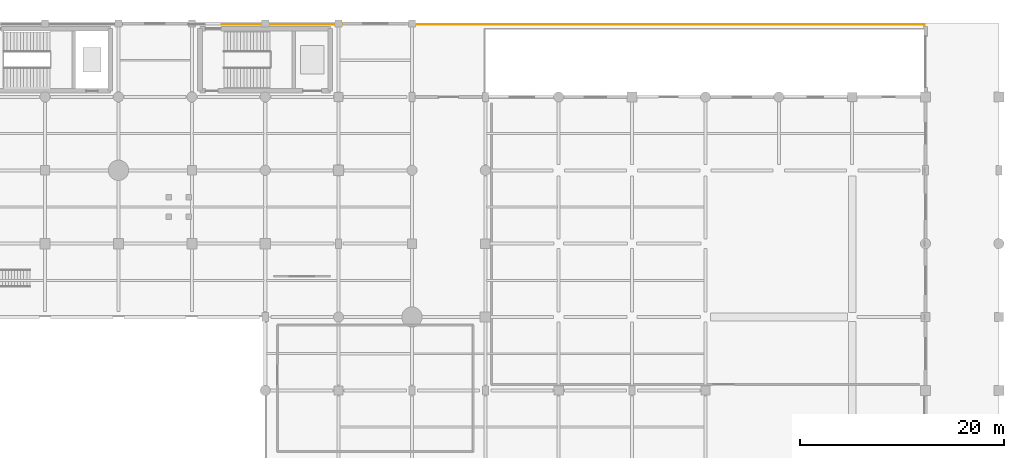
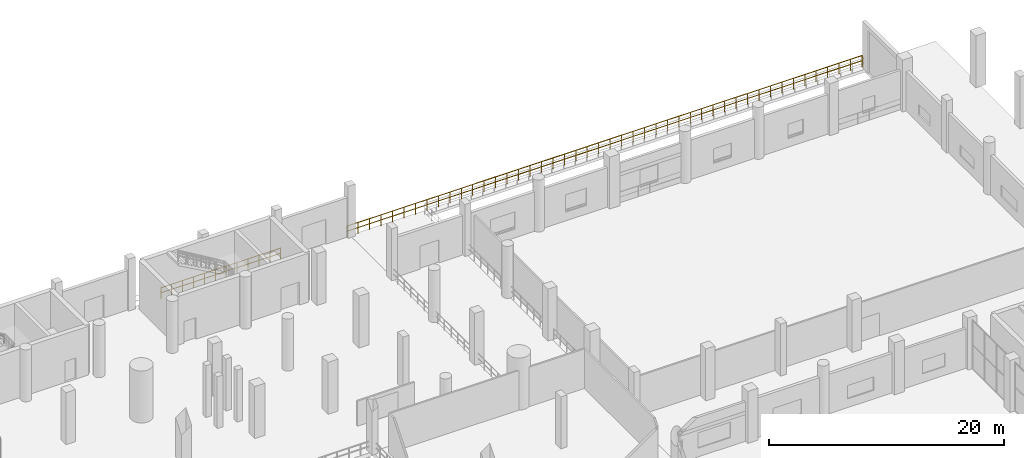
# One storey, part 57 of 58: 2 railings.
"""IFC4 building model written with IfcOpenShell, lengths in metres."""

import ifcopenshell
import ifcopenshell.guid

model = None  # the IFC model being written
_history = None  # IfcOwnerHistory: only IFC2X3 demands one
_inside = {}  # id of a spatial element -> (the spatial element, [elements in it])
_under = {}  # id of a project, library or spatial element -> (it, [spatial elements below it])
_declared = {}  # id of a project -> (the project, [libraries it declares])
_typed = {}  # id of a type object -> (the type object, [elements of that type])
_made_of = {}  # id of a material, layer set ... -> (it, [elements and type objects made of it])


def new_model(schema):
    """Start an empty IFC model of exactly this schema.

    Asked for "IFC4X3", IfcOpenShell would pick the latest addendum, in which some entities
    have other attributes; the version numbers below select the first issue.
    IFC2X3 requires an IfcOwnerHistory on every rooted entity: one is made here for all.
    """
    global model, _history
    if schema == "IFC4X3":
        model = ifcopenshell.file(schema_version=(4, 3, 0, 0))
    else:
        model = ifcopenshell.file(schema=schema)
    _inside.clear()
    _under.clear()
    _declared.clear()
    _typed.clear()
    _made_of.clear()
    _history = None
    if model.schema == "IFC2X3":
        org = make("IfcOrganization", Name="unknown")
        user = make(
            "IfcPersonAndOrganization",
            ThePerson=make("IfcPerson", FamilyName="unknown"),
            TheOrganization=org,
        )
        app = make(
            "IfcApplication",
            ApplicationDeveloper=org,
            Version="unknown",
            ApplicationFullName="unknown",
            ApplicationIdentifier="unknown",
        )
        _history = make(
            "IfcOwnerHistory",
            OwningUser=user,
            OwningApplication=app,
            ChangeAction="ADDED",
            CreationDate=0,
        )
    return model


def make(cls, **values):
    """One entity of the class cls with the attributes given. An attribute that is None is left unset."""
    return model.create_entity(
        cls, **{name: value for name, value in values.items() if value is not None}
    )


def rooted(cls, **values):
    """An entity with a GlobalId (a new one), such as an element, a storey or a relation."""
    return make(cls, GlobalId=ifcopenshell.guid.new(), OwnerHistory=_history, **values)


def si_unit(unit_type, name, prefix=None):
    """IfcSIUnit, for example si_unit("LENGTHUNIT", "METRE", prefix="MILLI")."""
    return make("IfcSIUnit", UnitType=unit_type, Prefix=prefix, Name=name)


def assignment(units):
    """IfcUnitAssignment: the units of a project."""
    return None if units is None else make("IfcUnitAssignment", Units=units)


def point(xyz):
    """IfcCartesianPoint."""
    return None if xyz is None else make("IfcCartesianPoint", Coordinates=xyz)


def direction(xyz):
    """IfcDirection."""
    return None if xyz is None else make("IfcDirection", DirectionRatios=xyz)


def frame(location, z_axis=None, x_axis=None):
    """IfcAxis2Placement3D, a coordinate frame: its origin and axes. An axis left out is left unset."""
    return make(
        "IfcAxis2Placement3D",
        Location=point(location),
        Axis=direction(z_axis),
        RefDirection=direction(x_axis),
    )


def frame_2d(location, x_axis=None):
    """IfcAxis2Placement2D, a coordinate frame in the plane: its origin and x axis."""
    return make(
        "IfcAxis2Placement2D", Location=point(location), RefDirection=direction(x_axis)
    )


def origin():
    """The frame at (0, 0, 0) with its axes left unset."""
    return frame((0.0, 0.0, 0.0))


def origin_2d():
    """The frame at (0, 0) in the plane with its x axis left unset."""
    return frame_2d((0.0, 0.0))


def place(relative_to, where):
    """IfcLocalPlacement: puts the frame where relative to a parent placement (None: the world)."""
    return make(
        "IfcLocalPlacement", PlacementRelTo=relative_to, RelativePlacement=where
    )


def context(
    kind, dimensions, precision=None, world=None, true_north=None, identifier=None
):
    """IfcGeometricRepresentationContext, for example the 3D "Model" context."""
    return make(
        "IfcGeometricRepresentationContext",
        ContextIdentifier=identifier,
        ContextType=kind,
        CoordinateSpaceDimension=dimensions,
        Precision=precision,
        WorldCoordinateSystem=world,
        TrueNorth=true_north,
    )


def subcontext(parent, identifier, kind, view, scale=None):
    """IfcGeometricRepresentationSubContext, for example "Body" below "Model"."""
    return make(
        "IfcGeometricRepresentationSubContext",
        ContextIdentifier=identifier,
        ContextType=kind,
        ParentContext=parent,
        TargetScale=scale,
        TargetView=view,
    )


def project(units=None, contexts=None):
    """IfcProject with its units and contexts."""
    return rooted(
        "IfcProject",
        Name="project",
        RepresentationContexts=contexts,
        UnitsInContext=assignment(units),
    )


def spatial(cls, under=None, at=None, **own):
    """A site, building, storey or space (cls), placed at a placement, below another one or the project."""
    s = rooted(cls, ObjectPlacement=at, **own)
    if under is not None:
        _under.setdefault(under.id(), (under, []))[1].append(s)
    return s


def profile(cls, at=None, kind="AREA", **sizes):
    """A parametric profile (cls). Its sizes go by their IFC names, for example OverallWidth=200.0."""
    return make(cls, ProfileType=kind, Position=at, **sizes)


def circle(**sizes):
    """IfcCircleProfileDef."""
    return profile("IfcCircleProfileDef", **sizes)


def extrude(swept, where, along, depth):
    """IfcExtrudedAreaSolid: the profile swept, set in the frame where, extruded along a direction by depth."""
    return make(
        "IfcExtrudedAreaSolid",
        SweptArea=swept,
        Position=where,
        ExtrudedDirection=direction(along),
        Depth=depth,
    )


def shape(context_of_items, identifier, shape_type, items):
    """IfcShapeRepresentation: the items that make up one representation, for example the "Body"."""
    return make(
        "IfcShapeRepresentation",
        ContextOfItems=context_of_items,
        RepresentationIdentifier=identifier,
        RepresentationType=shape_type,
        Items=items,
    )


def material(Name=None, Category=None):
    """IfcMaterial."""
    return make("IfcMaterial", Name=Name, Category=Category)


def made_of(thing, what):
    """Note that an element or type object is made of a material, layer set ...; save() writes the relation."""
    if what is not None:
        _made_of.setdefault(what.id(), (what, []))[1].append(thing)
    return thing


def type_object(cls, material=None, **own):
    """A type object (cls), such as IfcWallType, which elements share."""
    return made_of(rooted(cls, **own), material)


def element(
    cls,
    number,
    at=None,
    inside=None,
    cuts=None,
    type_object=None,
    material=None,
    context=None,
    identifier="Body",
    shape_type=None,
    held_by="IfcProductDefinitionShape",
    body=None,
    shapes=None,
    **own,
):
    """One element of the class cls, such as IfcWall. Its Tag is "e" and its number.

    at: its placement. inside: the storey or other place that contains it. cuts: it is an
    opening in that element (IfcRelVoidsElement). A single representation is given by context,
    identifier, shape_type and body (its items); several are given by shapes. held_by: the class
    of the entity that holds the representations. save() writes the other relations.
    """
    e = rooted(cls, Tag="e%d" % number, ObjectPlacement=at, **own)
    if body is not None:
        shapes = [shape(context, identifier, shape_type, body)]
    if shapes is not None:
        e.Representation = make(held_by, Representations=shapes)
    if inside is not None:
        _inside.setdefault(inside.id(), (inside, []))[1].append(e)
    if cuts is not None:
        rooted(
            "IfcRelVoidsElement", RelatingBuildingElement=cuts, RelatedOpeningElement=e
        )
    if type_object is not None:
        _typed.setdefault(type_object.id(), (type_object, []))[1].append(e)
    return made_of(e, material)


def aggregate(whole, parts):
    """IfcRelAggregates: a whole, such as a stair, and the parts it consists of."""
    return rooted("IfcRelAggregates", RelatingObject=whole, RelatedObjects=parts)


def save(model, path):
    """Write the relations noted so far, then the file.

    IfcRelAggregates (storeys below a building ...), IfcRelContainedInSpatialStructure (elements
    in a storey), IfcRelDefinesByType, IfcRelAssociatesMaterial and IfcRelDeclares: one each for
    every whole, place, type object, material and project.
    """
    for whole, parts in _under.values():
        aggregate(whole, parts)
    for where, things in _inside.values():
        rooted(
            "IfcRelContainedInSpatialStructure",
            RelatedElements=things,
            RelatingStructure=where,
        )
    for kind, things in _typed.values():
        rooted("IfcRelDefinesByType", RelatedObjects=things, RelatingType=kind)
    for what, things in _made_of.values():
        rooted("IfcRelAssociatesMaterial", RelatedObjects=things, RelatingMaterial=what)
    for by, libraries in _declared.values():
        rooted("IfcRelDeclares", RelatingContext=by, RelatedDefinitions=libraries)
    model.write(path)


model = new_model("IFC4")

# Units and contexts
model_context = context("Model", 3, precision=1e-05, world=origin(), true_north=direction((0.0, 1.0)))
body_context = subcontext(model_context, "Body", "Model", "MODEL_VIEW")
ifc_project = project(units=[si_unit("LENGTHUNIT", "METRE"), si_unit("AREAUNIT", "SQUARE_METRE"), si_unit("VOLUMEUNIT", "CUBIC_METRE"), si_unit("PLANEANGLEUNIT", "RADIAN"), si_unit("MASSUNIT", "GRAM", prefix="KILO")], contexts=[model_context])

# Site, building, storey
site_placement = place(None, origin())
site = spatial("IfcSite", under=ifc_project, at=site_placement, CompositionType="ELEMENT")
building_placement = place(site_placement, origin())
building = spatial("IfcBuilding", under=site, at=building_placement, Name="Qandorah Velis Arena", CompositionType="ELEMENT")
storey_placement = place(building_placement, origin())
storey = spatial("IfcBuildingStorey", under=building, at=storey_placement, Name="L00", CompositionType="ELEMENT", Elevation=0.0)

# Railings
ifc_material = material(Name="Stainless steel 316", Category="steel")
railing_type = type_object("IfcRailingType", Name="ARC-RL-GRD1150", PredefinedType="GUARDRAIL", material=ifc_material)
railing_1_placement = place(storey_placement, frame((96.570068359375, 129.5, 0.0)))
element("IfcRailing", 1, at=railing_1_placement, inside=storey, type_object=railing_type, Name="Slab edge safety guardrail L00-048", PredefinedType="GUARDRAIL", context=body_context, shape_type="SweptSolid", body=[
    extrude(circle(Radius=0.02392578125, at=origin_2d()), frame((0.0, 0.0, 1.1259765625), z_axis=(1.0, 0.0, 0.0), x_axis=(0.0, 1.0, 0.0)), (0.0, 0.0, 1.0), 11.780029296875),
    extrude(circle(Radius=0.02392578125, at=origin_2d()), frame((0.0, 0.0, 0.597900390625), z_axis=(1.0, 0.0, 0.0), x_axis=(0.0, 1.0, 0.0)), (0.0, 0.0, 1.0), 11.780029296875),
    extrude(circle(Radius=0.02099609375, at=origin_2d()), origin(), (0.0, 0.0, 1.0), 1.101806640625),
    extrude(circle(Radius=0.02099609375, at=origin_2d()), frame((1.07080078125, 0.0, 0.0)), (0.0, 0.0, 1.0), 1.101806640625),
    extrude(circle(Radius=0.02099609375, at=origin_2d()), frame((2.141845703125, 0.0, 0.0)), (0.0, 0.0, 1.0), 1.101806640625),
    extrude(circle(Radius=0.02099609375, at=origin_2d()), frame((3.212646484375, 0.0, 0.0)), (0.0, 0.0, 1.0), 1.101806640625),
    extrude(circle(Radius=0.02099609375, at=origin_2d()), frame((4.28369140625, 0.0, 0.0)), (0.0, 0.0, 1.0), 1.101806640625),
    extrude(circle(Radius=0.02099609375, at=origin_2d()), frame((5.3544921875, 0.0, 0.0)), (0.0, 0.0, 1.0), 1.101806640625),
    extrude(circle(Radius=0.02099609375, at=origin_2d()), frame((6.425537109375, 0.0, 0.0)), (0.0, 0.0, 1.0), 1.101806640625),
    extrude(circle(Radius=0.02099609375, at=origin_2d()), frame((7.496337890625, 0.0, 0.0)), (0.0, 0.0, 1.0), 1.101806640625),
    extrude(circle(Radius=0.02099609375, at=origin_2d()), frame((8.5673828125, 0.0, 0.0)), (0.0, 0.0, 1.0), 1.101806640625),
    extrude(circle(Radius=0.02099609375, at=origin_2d()), frame((9.63818359375, 0.0, 0.0)), (0.0, 0.0, 1.0), 1.101806640625),
    extrude(circle(Radius=0.02099609375, at=origin_2d()), frame((10.709228515625, 0.0, 0.0)), (0.0, 0.0, 1.0), 1.101806640625),
    extrude(circle(Radius=0.02099609375, at=origin_2d()), frame((11.780029296875, 0.0, 0.0)), (0.0, 0.0, 1.0), 1.101806640625),
])
railing_2_placement = place(storey_placement, frame((114.85009765625, 129.5, 0.0)))
element("IfcRailing", 2, at=railing_2_placement, inside=storey, type_object=railing_type, Name="Slab edge safety guardrail L00-049", PredefinedType="GUARDRAIL", context=body_context, shape_type="SweptSolid", body=[
    extrude(circle(Radius=0.02392578125, at=origin_2d()), frame((0.0, 0.0, 1.1259765625), z_axis=(1.0, 0.0, 0.0), x_axis=(0.0, 1.0, 0.0)), (0.0, 0.0, 1.0), 50.64990234375),
    extrude(circle(Radius=0.02392578125, at=origin_2d()), frame((0.0, 0.0, 0.597900390625), z_axis=(1.0, 0.0, 0.0), x_axis=(0.0, 1.0, 0.0)), (0.0, 0.0, 1.0), 50.64990234375),
    extrude(circle(Radius=0.02392578125, at=origin_2d()), frame((50.64990234375, 0.0, 1.1259765625), z_axis=(0.0, -1.0, 0.0), x_axis=(1.0, 0.0, 0.0)), (0.0, 0.0, 1.0), 0.199951171875),
    extrude(circle(Radius=0.02392578125, at=origin_2d()), frame((50.64990234375, 0.0, 0.597900390625), z_axis=(0.0, -1.0, 0.0), x_axis=(1.0, 0.0, 0.0)), (0.0, 0.0, 1.0), 0.199951171875),
    extrude(circle(Radius=0.02099609375, at=origin_2d()), origin(), (0.0, 0.0, 1.0), 1.101806640625),
    extrude(circle(Radius=0.02099609375, at=origin_2d()), frame((1.12548828125, 0.0, 0.0)), (0.0, 0.0, 1.0), 1.101806640625),
    extrude(circle(Radius=0.02099609375, at=origin_2d()), frame((2.251220703125, 0.0, 0.0)), (0.0, 0.0, 1.0), 1.101806640625),
    extrude(circle(Radius=0.02099609375, at=origin_2d()), frame((3.376708984375, 0.0, 0.0)), (0.0, 0.0, 1.0), 1.101806640625),
    extrude(circle(Radius=0.02099609375, at=origin_2d()), frame((4.502197265625, 0.0, 0.0)), (0.0, 0.0, 1.0), 1.101806640625),
    extrude(circle(Radius=0.02099609375, at=origin_2d()), frame((5.627685546875, 0.0, 0.0)), (0.0, 0.0, 1.0), 1.101806640625),
    extrude(circle(Radius=0.02099609375, at=origin_2d()), frame((6.75341796875, 0.0, 0.0)), (0.0, 0.0, 1.0), 1.101806640625),
    extrude(circle(Radius=0.02099609375, at=origin_2d()), frame((7.87890625, 0.0, 0.0)), (0.0, 0.0, 1.0), 1.101806640625),
    extrude(circle(Radius=0.02099609375, at=origin_2d()), frame((9.00439453125, 0.0, 0.0)), (0.0, 0.0, 1.0), 1.101806640625),
    extrude(circle(Radius=0.02099609375, at=origin_2d()), frame((10.1298828125, 0.0, 0.0)), (0.0, 0.0, 1.0), 1.101806640625),
    extrude(circle(Radius=0.02099609375, at=origin_2d()), frame((11.255615234375, 0.0, 0.0)), (0.0, 0.0, 1.0), 1.101806640625),
    extrude(circle(Radius=0.02099609375, at=origin_2d()), frame((12.381103515625, 0.0, 0.0)), (0.0, 0.0, 1.0), 1.101806640625),
    extrude(circle(Radius=0.02099609375, at=origin_2d()), frame((13.506591796875, 0.0, 0.0)), (0.0, 0.0, 1.0), 1.101806640625),
    extrude(circle(Radius=0.02099609375, at=origin_2d()), frame((14.632080078125, 0.0, 0.0)), (0.0, 0.0, 1.0), 1.101806640625),
    extrude(circle(Radius=0.02099609375, at=origin_2d()), frame((15.7578125, 0.0, 0.0)), (0.0, 0.0, 1.0), 1.101806640625),
    extrude(circle(Radius=0.02099609375, at=origin_2d()), frame((16.88330078125, 0.0, 0.0)), (0.0, 0.0, 1.0), 1.101806640625),
    extrude(circle(Radius=0.02099609375, at=origin_2d()), frame((18.0087890625, 0.0, 0.0)), (0.0, 0.0, 1.0), 1.101806640625),
    extrude(circle(Radius=0.02099609375, at=origin_2d()), frame((19.134521484375, 0.0, 0.0)), (0.0, 0.0, 1.0), 1.101806640625),
    extrude(circle(Radius=0.02099609375, at=origin_2d()), frame((20.260009765625, 0.0, 0.0)), (0.0, 0.0, 1.0), 1.101806640625),
    extrude(circle(Radius=0.02099609375, at=origin_2d()), frame((21.385498046875, 0.0, 0.0)), (0.0, 0.0, 1.0), 1.101806640625),
    extrude(circle(Radius=0.02099609375, at=origin_2d()), frame((22.510986328125, 0.0, 0.0)), (0.0, 0.0, 1.0), 1.101806640625),
    extrude(circle(Radius=0.02099609375, at=origin_2d()), frame((23.63671875, 0.0, 0.0)), (0.0, 0.0, 1.0), 1.101806640625),
    extrude(circle(Radius=0.02099609375, at=origin_2d()), frame((24.76220703125, 0.0, 0.0)), (0.0, 0.0, 1.0), 1.101806640625),
    extrude(circle(Radius=0.02099609375, at=origin_2d()), frame((25.8876953125, 0.0, 0.0)), (0.0, 0.0, 1.0), 1.101806640625),
    extrude(circle(Radius=0.02099609375, at=origin_2d()), frame((27.01318359375, 0.0, 0.0)), (0.0, 0.0, 1.0), 1.101806640625),
    extrude(circle(Radius=0.02099609375, at=origin_2d()), frame((28.138916015625, 0.0, 0.0)), (0.0, 0.0, 1.0), 1.101806640625),
    extrude(circle(Radius=0.02099609375, at=origin_2d()), frame((29.264404296875, 0.0, 0.0)), (0.0, 0.0, 1.0), 1.101806640625),
    extrude(circle(Radius=0.02099609375, at=origin_2d()), frame((30.389892578125, 0.0, 0.0)), (0.0, 0.0, 1.0), 1.101806640625),
    extrude(circle(Radius=0.02099609375, at=origin_2d()), frame((31.515380859375, 0.0, 0.0)), (0.0, 0.0, 1.0), 1.101806640625),
    extrude(circle(Radius=0.02099609375, at=origin_2d()), frame((32.64111328125, 0.0, 0.0)), (0.0, 0.0, 1.0), 1.101806640625),
    extrude(circle(Radius=0.02099609375, at=origin_2d()), frame((33.7666015625, 0.0, 0.0)), (0.0, 0.0, 1.0), 1.101806640625),
    extrude(circle(Radius=0.02099609375, at=origin_2d()), frame((34.89208984375, 0.0, 0.0)), (0.0, 0.0, 1.0), 1.101806640625),
    extrude(circle(Radius=0.02099609375, at=origin_2d()), frame((36.017822265625, 0.0, 0.0)), (0.0, 0.0, 1.0), 1.101806640625),
    extrude(circle(Radius=0.02099609375, at=origin_2d()), frame((37.143310546875, 0.0, 0.0)), (0.0, 0.0, 1.0), 1.101806640625),
    extrude(circle(Radius=0.02099609375, at=origin_2d()), frame((38.268798828125, 0.0, 0.0)), (0.0, 0.0, 1.0), 1.101806640625),
    extrude(circle(Radius=0.02099609375, at=origin_2d()), frame((39.394287109375, 0.0, 0.0)), (0.0, 0.0, 1.0), 1.101806640625),
    extrude(circle(Radius=0.02099609375, at=origin_2d()), frame((40.52001953125, 0.0, 0.0)), (0.0, 0.0, 1.0), 1.101806640625),
    extrude(circle(Radius=0.02099609375, at=origin_2d()), frame((41.6455078125, 0.0, 0.0)), (0.0, 0.0, 1.0), 1.101806640625),
    extrude(circle(Radius=0.02099609375, at=origin_2d()), frame((42.77099609375, 0.0, 0.0)), (0.0, 0.0, 1.0), 1.101806640625),
    extrude(circle(Radius=0.02099609375, at=origin_2d()), frame((43.896484375, 0.0, 0.0)), (0.0, 0.0, 1.0), 1.101806640625),
    extrude(circle(Radius=0.02099609375, at=origin_2d()), frame((45.022216796875, 0.0, 0.0)), (0.0, 0.0, 1.0), 1.101806640625),
    extrude(circle(Radius=0.02099609375, at=origin_2d()), frame((46.147705078125, 0.0, 0.0)), (0.0, 0.0, 1.0), 1.101806640625),
    extrude(circle(Radius=0.02099609375, at=origin_2d()), frame((47.273193359375, 0.0, 0.0)), (0.0, 0.0, 1.0), 1.101806640625),
    extrude(circle(Radius=0.02099609375, at=origin_2d()), frame((48.398681640625, 0.0, 0.0)), (0.0, 0.0, 1.0), 1.101806640625),
    extrude(circle(Radius=0.02099609375, at=origin_2d()), frame((49.5244140625, 0.0, 0.0)), (0.0, 0.0, 1.0), 1.101806640625),
    extrude(circle(Radius=0.02099609375, at=origin_2d()), frame((50.64990234375, 0.0, 0.0)), (0.0, 0.0, 1.0), 1.101806640625),
    extrude(circle(Radius=0.02099609375, at=origin_2d()), frame((50.64990234375, -0.199951171875, 0.0)), (0.0, 0.0, 1.0), 1.101806640625),
])

save(model, "model.ifc")
